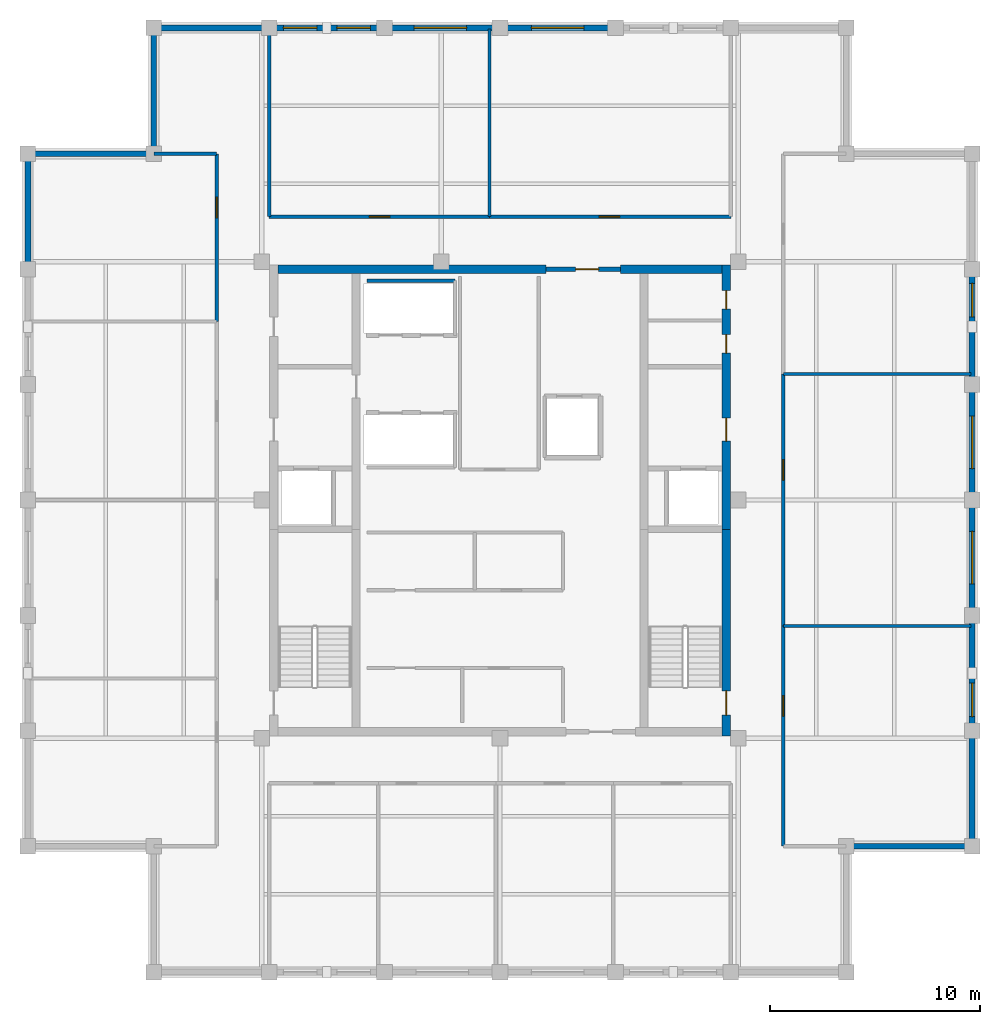
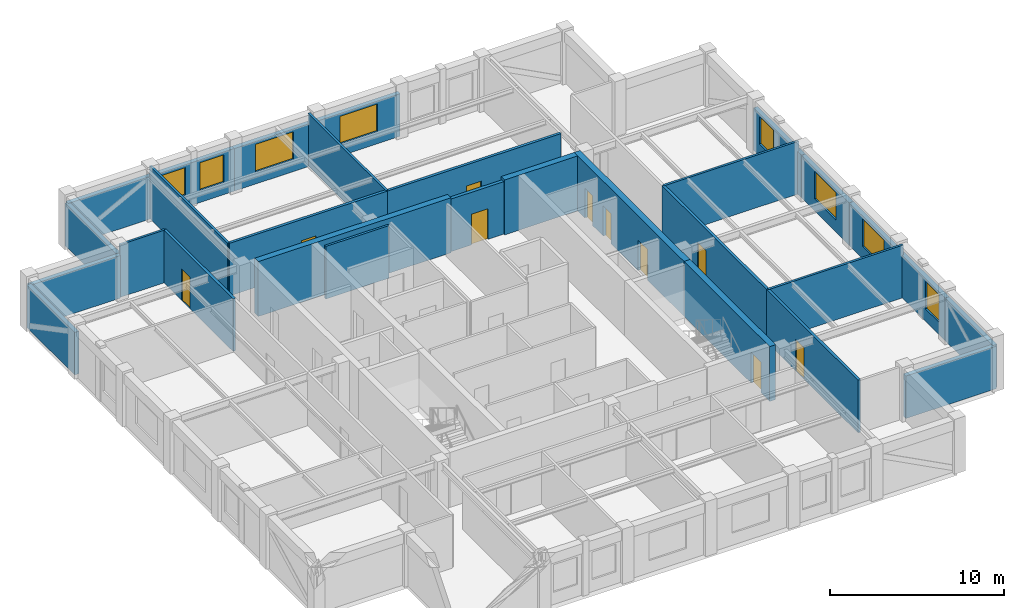
# One storey, part 4 of 6: 29 walls, 10 doors, 8 windows, 18 openings.
"""IFC4 building model written with IfcOpenShell, lengths in metres."""

from ifc_helpers import new_model, si_unit, direction, frame, frame_2d, origin, place, context, subcontext, project, spatial, rectangle, extrude, material, layer, layer_set, type_object, element, fill, save


model = new_model("IFC4")

# Units and contexts
model_context = context("Model", 3, precision=1e-05, world=origin(), true_north=direction((0.0, 1.0)))
body_context = subcontext(model_context, "Body", "Model", "MODEL_VIEW")
ifc_project = project(units=[si_unit("LENGTHUNIT", "METRE"), si_unit("AREAUNIT", "SQUARE_METRE"), si_unit("VOLUMEUNIT", "CUBIC_METRE"), si_unit("PLANEANGLEUNIT", "RADIAN"), si_unit("MASSUNIT", "GRAM", prefix="KILO")], contexts=[model_context])

# Site, building, storey
site_placement = place(None, origin())
site = spatial("IfcSite", under=ifc_project, at=site_placement, CompositionType="ELEMENT")
building_placement = place(site_placement, origin())
building = spatial("IfcBuilding", under=site, at=building_placement, Name="Nhamokura Convention Tower", CompositionType="ELEMENT")
storey_placement = place(building_placement, frame((0.0, 0.0, 266.0)))
storey = spatial("IfcBuildingStorey", under=building, at=storey_placement, Name="L65", CompositionType="ELEMENT", Elevation=266.0)

# Wall
ifc_material_1 = material(Name="Bronze-pigmented precast concrete C45/55", Category="concrete")
ifc_layer_1 = layer(ifc_material_1, 0.280029296875)
ifc_layer_set_1 = layer_set([ifc_layer_1], Name="BronzePrecastSpandrel_280")
wall_type_1 = type_object("IfcWallType", Name="BronzePrecastSpandrel_280", PredefinedType="USERDEFINED", material=ifc_layer_set_1)
wall_1_placement = place(storey_placement, frame((15.5, 54.5, 0.0), z_axis=(0.0, 0.0, 1.0), x_axis=(1.0, 0.0, 0.0)))
element("IfcWall", 1, at=wall_1_placement, inside=storey, type_object=wall_type_1, Name="L65 Braced-Bay Precast Wall NORTH 0", ObjectType="SPANDREL_WALL", PredefinedType="USERDEFINED", context=body_context, shape_type="SweptSolid", body=[
    extrude(rectangle(XDim=5.5, YDim=0.280029296875, at=frame_2d((2.75, 0.0))), origin(), (0.0, 0.0, 1.0), 2.985107421875),
])

# Wall, openings, windows
wall_2_placement = place(storey_placement, frame((21.0, 54.5, 0.0), z_axis=(0.0, 0.0, 1.0), x_axis=(1.0, 0.0, 0.0)))
wall_2 = element("IfcWall", 2, at=wall_2_placement, inside=storey, type_object=wall_type_1, Name="L65 Masonry-Frame Wall NORTH 1", ObjectType="SPANDREL_WALL", PredefinedType="USERDEFINED", context=body_context, shape_type="SweptSolid", body=[
    extrude(rectangle(XDim=5.5, YDim=0.280029296875, at=frame_2d((2.75, 0.0))), origin(), (0.0, 0.0, 1.0), 2.985107421875),
])
opening_1_placement = place(wall_2_placement, frame((0.675048828125, 0.0, 0.85009765625)))
opening_1 = element("IfcOpeningElement", 3, at=opening_1_placement, cuts=wall_2, Name="Opening W-11", PredefinedType="OPENING", context=body_context, shape_type="SweptSolid", body=[
    extrude(rectangle(XDim=1.60009765625, YDim=1.93505859375, at=frame_2d((0.800048828125, 0.967529296875))), frame((0.0, 0.14990234375, 0.0), z_axis=(0.0, -1.0, 0.0), x_axis=(1.0, 0.0, 0.0)), (0.0, 0.0, 1.0), 0.300048828125),
])
opening_2_placement = place(wall_2_placement, frame((3.22509765625, 0.0, 0.85009765625)))
opening_2 = element("IfcOpeningElement", 4, at=opening_2_placement, cuts=wall_2, Name="Opening W-11", PredefinedType="OPENING", context=body_context, shape_type="SweptSolid", body=[
    extrude(rectangle(XDim=1.60009765625, YDim=1.93505859375, at=frame_2d((0.800048828125, 0.967529296875))), frame((0.0, 0.14990234375, 0.0), z_axis=(0.0, -1.0, 0.0), x_axis=(1.0, 0.0, 0.0)), (0.0, 0.0, 1.0), 0.300048828125),
])
ifc_material_2 = material(Name="Solar-control bronze low-E double glass", Category="glass")
window_type_1 = type_object("IfcWindowType", Name="NotchCornerWindow_1600", PartitioningType="SINGLE_PANEL", PredefinedType="WINDOW", material=ifc_material_2)
window_1_placement = place(opening_1_placement, origin())
window_1 = element("IfcWindow", 5, at=window_1_placement, inside=storey, type_object=window_type_1, Name="L65 Facade Window NORTH 1-1", OverallHeight=1.93505859375, OverallWidth=1.60009765625, PartitioningType="SINGLE_PANEL", PredefinedType="WINDOW", context=body_context, shape_type="SweptSolid", body=[
    extrude(rectangle(XDim=1.60009765625, YDim=1.93505859375, at=frame_2d((0.800048828125, 0.967529296875))), frame((0.0, 0.030029296875, 0.0), z_axis=(0.0, -1.0, 0.0), x_axis=(1.0, 0.0, 0.0)), (0.0, 0.0, 1.0), 0.06005859375),
])
fill(opening_1, window_1)
window_2_placement = place(opening_2_placement, origin())
window_2 = element("IfcWindow", 6, at=window_2_placement, inside=storey, type_object=window_type_1, Name="L65 Facade Window NORTH 1-2", OverallHeight=1.93505859375, OverallWidth=1.60009765625, PartitioningType="SINGLE_PANEL", PredefinedType="WINDOW", context=body_context, shape_type="SweptSolid", body=[
    extrude(rectangle(XDim=1.60009765625, YDim=1.93505859375, at=frame_2d((0.800048828125, 0.967529296875))), frame((0.0, 0.030029296875, 0.0), z_axis=(0.0, -1.0, 0.0), x_axis=(1.0, 0.0, 0.0)), (0.0, 0.0, 1.0), 0.06005859375),
])
fill(opening_2, window_2)

# Wall, opening, window
wall_3_placement = place(storey_placement, frame((26.5, 54.5, 0.0), z_axis=(0.0, 0.0, 1.0), x_axis=(1.0, 0.0, 0.0)))
wall_3 = element("IfcWall", 7, at=wall_3_placement, inside=storey, type_object=wall_type_1, Name="L65 Masonry-Frame Wall NORTH 2", ObjectType="SPANDREL_WALL", PredefinedType="USERDEFINED", context=body_context, shape_type="SweptSolid", body=[
    extrude(rectangle(XDim=5.5, YDim=0.280029296875, at=frame_2d((2.75, 0.0))), origin(), (0.0, 0.0, 1.0), 2.985107421875),
])
opening_3_placement = place(wall_3_placement, frame((1.41259765625, 0.0, 0.85009765625)))
opening_3 = element("IfcOpeningElement", 8, at=opening_3_placement, cuts=wall_3, Name="Opening W-09", PredefinedType="OPENING", context=body_context, shape_type="SweptSolid", body=[
    extrude(rectangle(XDim=2.5, YDim=1.93505859375, at=frame_2d((1.25, 0.967529296875))), frame((0.0, 0.14990234375, 0.0), z_axis=(0.0, -1.0, 0.0), x_axis=(1.0, 0.0, 0.0)), (0.0, 0.0, 1.0), 0.300048828125),
])
ifc_material_3 = material(Name="Solar-control bronze low-E double glass", Category="glass")
window_type_2 = type_object("IfcWindowType", Name="SummitWindow_Z4_2500", PartitioningType="DOUBLE_PANEL_VERTICAL", PredefinedType="WINDOW", material=ifc_material_3)
window_3_placement = place(opening_3_placement, origin())
window_3 = element("IfcWindow", 9, at=window_3_placement, inside=storey, type_object=window_type_2, Name="L65 Facade Window NORTH 2", OverallHeight=1.93505859375, OverallWidth=2.5, PartitioningType="SINGLE_PANEL", PredefinedType="WINDOW", context=body_context, shape_type="SweptSolid", body=[
    extrude(rectangle(XDim=2.5, YDim=1.93505859375, at=frame_2d((1.25, 0.967529296875))), frame((0.0, 0.030029296875, 0.0), z_axis=(0.0, -1.0, 0.0), x_axis=(1.0, 0.0, 0.0)), (0.0, 0.0, 1.0), 0.06005859375),
])
fill(opening_3, window_3)

wall_4_placement = place(storey_placement, frame((32.0, 54.5, 0.0), z_axis=(0.0, 0.0, 1.0), x_axis=(1.0, 0.0, 0.0)))
wall_4 = element("IfcWall", 10, at=wall_4_placement, inside=storey, type_object=wall_type_1, Name="L65 Masonry-Frame Wall NORTH 3", ObjectType="SPANDREL_WALL", PredefinedType="USERDEFINED", context=body_context, shape_type="SweptSolid", body=[
    extrude(rectangle(XDim=5.5, YDim=0.280029296875, at=frame_2d((2.75, 0.0))), origin(), (0.0, 0.0, 1.0), 2.985107421875),
])
opening_4_placement = place(wall_4_placement, frame((1.5, 0.0, 0.85009765625)))
opening_4 = element("IfcOpeningElement", 11, at=opening_4_placement, cuts=wall_4, Name="Opening W-09", PredefinedType="OPENING", context=body_context, shape_type="SweptSolid", body=[
    extrude(rectangle(XDim=2.5, YDim=1.93505859375, at=frame_2d((1.25, 0.967529296875))), frame((0.0, 0.14990234375, 0.0), z_axis=(0.0, -1.0, 0.0), x_axis=(1.0, 0.0, 0.0)), (0.0, 0.0, 1.0), 0.300048828125),
])
window_4_placement = place(opening_4_placement, origin())
window_4 = element("IfcWindow", 12, at=window_4_placement, inside=storey, type_object=window_type_2, Name="L65 Facade Window NORTH 3", OverallHeight=1.93505859375, OverallWidth=2.5, PartitioningType="SINGLE_PANEL", PredefinedType="WINDOW", context=body_context, shape_type="SweptSolid", body=[
    extrude(rectangle(XDim=2.5, YDim=1.93505859375, at=frame_2d((1.25, 0.967529296875))), frame((0.0, 0.030029296875, 0.0), z_axis=(0.0, -1.0, 0.0), x_axis=(1.0, 0.0, 0.0)), (0.0, 0.0, 1.0), 0.06005859375),
])
fill(opening_4, window_4)

# Walls
for number, where, z_axis, x_axis, name in (
    (13, (9.5, 43.0, 0.0), (0.0, 0.0, 1.0), (0.0, 1.0, 0.0), "L65 Braced-Bay Precast Wall WEST 5"),
    (14, (54.5, 21.0, 0.0), (0.0, 0.0, 1.0), (0.0, -1.0, 0.0), "L65 Braced-Bay Precast Wall EAST 0"),
):
    element("IfcWall", number, at=place(storey_placement, frame(where, z_axis=z_axis, x_axis=x_axis)), inside=storey, type_object=wall_type_1, Name=name, ObjectType="SPANDREL_WALL", PredefinedType="USERDEFINED", context=body_context, shape_type="SweptSolid", body=[
        extrude(rectangle(XDim=5.5, YDim=0.280029296875, at=frame_2d((2.75, 0.0))), origin(), (0.0, 0.0, 1.0), 2.985107421875),
    ])

# Wall, opening, window
wall_5_placement = place(storey_placement, frame((54.5, 26.5, 0.0), z_axis=(0.0, 0.0, 1.0), x_axis=(0.0, -1.0, 0.0)))
wall_5 = element("IfcWall", 15, at=wall_5_placement, inside=storey, type_object=wall_type_1, Name="L65 Masonry-Frame Wall EAST 1", ObjectType="SPANDREL_WALL", PredefinedType="USERDEFINED", context=body_context, shape_type="SweptSolid", body=[
    extrude(rectangle(XDim=5.5, YDim=0.280029296875, at=frame_2d((2.75, 0.0))), origin(), (0.0, 0.0, 1.0), 2.985107421875),
])
opening_5_placement = place(wall_5_placement, frame((3.22509765625, 0.0, 0.85009765625)))
opening_5 = element("IfcOpeningElement", 16, at=opening_5_placement, cuts=wall_5, Name="Opening W-11", PredefinedType="OPENING", context=body_context, shape_type="SweptSolid", body=[
    extrude(rectangle(XDim=1.60009765625, YDim=1.93505859375, at=frame_2d((0.800048828125, 0.967529296875))), frame((0.0, 0.14990234375, 0.0), z_axis=(0.0, -1.0, 0.0), x_axis=(1.0, 0.0, 0.0)), (0.0, 0.0, 1.0), 0.300048828125),
])
window_5_placement = place(opening_5_placement, origin())
window_5 = element("IfcWindow", 17, at=window_5_placement, inside=storey, type_object=window_type_1, Name="L65 Facade Window EAST 1-2", OverallHeight=1.93505859375, OverallWidth=1.60009765625, PartitioningType="SINGLE_PANEL", PredefinedType="WINDOW", context=body_context, shape_type="SweptSolid", body=[
    extrude(rectangle(XDim=1.60009765625, YDim=1.93505859375, at=frame_2d((0.800048828125, 0.967529296875))), frame((0.0, 0.030029296875, 0.0), z_axis=(0.0, -1.0, 0.0), x_axis=(1.0, 0.0, 0.0)), (0.0, 0.0, 1.0), 0.06005859375),
])
fill(opening_5, window_5)

wall_6_placement = place(storey_placement, frame((54.5, 32.0, 0.0), z_axis=(0.0, 0.0, 1.0), x_axis=(0.0, -1.0, 0.0)))
wall_6 = element("IfcWall", 18, at=wall_6_placement, inside=storey, type_object=wall_type_1, Name="L65 Masonry-Frame Wall EAST 2", ObjectType="SPANDREL_WALL", PredefinedType="USERDEFINED", context=body_context, shape_type="SweptSolid", body=[
    extrude(rectangle(XDim=5.5, YDim=0.280029296875, at=frame_2d((2.75, 0.0))), origin(), (0.0, 0.0, 1.0), 2.985107421875),
])
opening_6_placement = place(wall_6_placement, frame((1.5, 0.0, 0.85009765625)))
opening_6 = element("IfcOpeningElement", 19, at=opening_6_placement, cuts=wall_6, Name="Opening W-09", PredefinedType="OPENING", context=body_context, shape_type="SweptSolid", body=[
    extrude(rectangle(XDim=2.5, YDim=1.93505859375, at=frame_2d((1.25, 0.967529296875))), frame((0.0, 0.14990234375, 0.0), z_axis=(0.0, -1.0, 0.0), x_axis=(1.0, 0.0, 0.0)), (0.0, 0.0, 1.0), 0.300048828125),
])
window_6_placement = place(opening_6_placement, origin())
window_6 = element("IfcWindow", 20, at=window_6_placement, inside=storey, type_object=window_type_2, Name="L65 Facade Window EAST 2", OverallHeight=1.93505859375, OverallWidth=2.5, PartitioningType="SINGLE_PANEL", PredefinedType="WINDOW", context=body_context, shape_type="SweptSolid", body=[
    extrude(rectangle(XDim=2.5, YDim=1.93505859375, at=frame_2d((1.25, 0.967529296875))), frame((0.0, 0.030029296875, 0.0), z_axis=(0.0, -1.0, 0.0), x_axis=(1.0, 0.0, 0.0)), (0.0, 0.0, 1.0), 0.06005859375),
])
fill(opening_6, window_6)

wall_7_placement = place(storey_placement, frame((54.5, 37.5, 0.0), z_axis=(0.0, 0.0, 1.0), x_axis=(0.0, -1.0, 0.0)))
wall_7 = element("IfcWall", 21, at=wall_7_placement, inside=storey, type_object=wall_type_1, Name="L65 Masonry-Frame Wall EAST 3", ObjectType="SPANDREL_WALL", PredefinedType="USERDEFINED", context=body_context, shape_type="SweptSolid", body=[
    extrude(rectangle(XDim=5.5, YDim=0.280029296875, at=frame_2d((2.75, 0.0))), origin(), (0.0, 0.0, 1.0), 2.985107421875),
])
opening_7_placement = place(wall_7_placement, frame((1.5, 0.0, 0.85009765625)))
opening_7 = element("IfcOpeningElement", 22, at=opening_7_placement, cuts=wall_7, Name="Opening W-09", PredefinedType="OPENING", context=body_context, shape_type="SweptSolid", body=[
    extrude(rectangle(XDim=2.5, YDim=1.93505859375, at=frame_2d((1.25, 0.967529296875))), frame((0.0, 0.14990234375, 0.0), z_axis=(0.0, -1.0, 0.0), x_axis=(1.0, 0.0, 0.0)), (0.0, 0.0, 1.0), 0.300048828125),
])
window_7_placement = place(opening_7_placement, origin())
window_7 = element("IfcWindow", 23, at=window_7_placement, inside=storey, type_object=window_type_2, Name="L65 Facade Window EAST 3", OverallHeight=1.93505859375, OverallWidth=2.5, PartitioningType="SINGLE_PANEL", PredefinedType="WINDOW", context=body_context, shape_type="SweptSolid", body=[
    extrude(rectangle(XDim=2.5, YDim=1.93505859375, at=frame_2d((1.25, 0.967529296875))), frame((0.0, 0.030029296875, 0.0), z_axis=(0.0, -1.0, 0.0), x_axis=(1.0, 0.0, 0.0)), (0.0, 0.0, 1.0), 0.06005859375),
])
fill(opening_7, window_7)

wall_8_placement = place(storey_placement, frame((54.5, 43.0, 0.0), z_axis=(0.0, 0.0, 1.0), x_axis=(0.0, -1.0, 0.0)))
wall_8 = element("IfcWall", 24, at=wall_8_placement, inside=storey, type_object=wall_type_1, Name="L65 Masonry-Frame Wall EAST 4", ObjectType="SPANDREL_WALL", PredefinedType="USERDEFINED", context=body_context, shape_type="SweptSolid", body=[
    extrude(rectangle(XDim=5.5, YDim=0.280029296875, at=frame_2d((2.75, 0.0))), origin(), (0.0, 0.0, 1.0), 2.985107421875),
])
opening_8_placement = place(wall_8_placement, frame((0.675048828125, 0.0, 0.85009765625)))
opening_8 = element("IfcOpeningElement", 25, at=opening_8_placement, cuts=wall_8, Name="Opening W-11", PredefinedType="OPENING", context=body_context, shape_type="SweptSolid", body=[
    extrude(rectangle(XDim=1.60009765625, YDim=1.93505859375, at=frame_2d((0.800048828125, 0.967529296875))), frame((0.0, 0.14990234375, 0.0), z_axis=(0.0, -1.0, 0.0), x_axis=(1.0, 0.0, 0.0)), (0.0, 0.0, 1.0), 0.300048828125),
])
window_8_placement = place(opening_8_placement, origin())
window_8 = element("IfcWindow", 26, at=window_8_placement, inside=storey, type_object=window_type_1, Name="L65 Facade Window EAST 4-1", OverallHeight=1.93505859375, OverallWidth=1.60009765625, PartitioningType="SINGLE_PANEL", PredefinedType="WINDOW", context=body_context, shape_type="SweptSolid", body=[
    extrude(rectangle(XDim=1.60009765625, YDim=1.93505859375, at=frame_2d((0.800048828125, 0.967529296875))), frame((0.0, 0.030029296875, 0.0), z_axis=(0.0, -1.0, 0.0), x_axis=(1.0, 0.0, 0.0)), (0.0, 0.0, 1.0), 0.06005859375),
])
fill(opening_8, window_8)

# Walls
for number, where, z_axis, x_axis, name in (
    (27, (54.5, 15.5, 0.0), (0.0, 0.0, 1.0), (-1.0, 0.0, 0.0), "L65 Notched Corner Wall SE2"),
    (28, (15.5, 48.5, 0.0), (0.0, 0.0, 1.0), (0.0, 1.0, 0.0), "L65 Notched Corner Wall NW1"),
    (29, (9.5, 48.5, 0.0), (0.0, 0.0, 1.0), (1.0, 0.0, 0.0), "L65 Notched Corner Wall NW2"),
):
    element("IfcWall", number, at=place(storey_placement, frame(where, z_axis=z_axis, x_axis=x_axis)), inside=storey, type_object=wall_type_1, Name=name, ObjectType="SPANDREL_WALL", PredefinedType="USERDEFINED", context=body_context, shape_type="SweptSolid", body=[
        extrude(rectangle(XDim=6.0, YDim=0.280029296875, at=frame_2d((3.0, 0.0))), origin(), (0.0, 0.0, 1.0), 2.985107421875),
    ])

# Wall, opening, door
ifc_material_4 = material(Name="Concrete C50/60", Category="concrete")
ifc_layer_2 = layer(ifc_material_4, 0.39990234375)
ifc_layer_set_2 = layer_set([ifc_layer_2], Name="CoreShearWall_400")
wall_type_2 = type_object("IfcWallType", Name="CoreShearWall_400", PredefinedType="SHEAR", material=ifc_layer_set_2)
wall_9_placement = place(storey_placement, frame((42.7900390625, 20.75, 0.0), z_axis=(0.0, 0.0, 1.0), x_axis=(0.0, 1.0, 0.0)))
wall_9 = element("IfcWall", 30, at=wall_9_placement, inside=storey, type_object=wall_type_2, Name="L65 Core Shear Wall CW-ES", PredefinedType="SHEAR", context=body_context, shape_type="SweptSolid", body=[
    extrude(rectangle(XDim=9.85009765625, YDim=0.39990234375, at=frame_2d((4.925048828125, 0.0))), origin(), (0.0, 0.0, 1.0), 3.85009765625),
])
opening_9_placement = place(wall_9_placement, frame((1.0, 0.0, 0.0)))
opening_9 = element("IfcOpeningElement", 31, at=opening_9_placement, cuts=wall_9, Name="Opening D-04", PredefinedType="OPENING", context=body_context, shape_type="SweptSolid", body=[
    extrude(rectangle(XDim=1.14990234375, YDim=2.14990234375, at=frame_2d((0.574951171875, 1.074951171875))), frame((0.0, 0.2099609375, 0.0), z_axis=(0.0, -1.0, 0.0), x_axis=(1.0, 0.0, 0.0)), (0.0, 0.0, 1.0), 0.419921875),
])
ifc_material_5 = material(Name="Fire-rated steel door", Category="steel")
door_type_1 = type_object("IfcDoorType", Name="StairSmokeDoor_1150", OperationType="NOTDEFINED", PredefinedType="DOOR", material=ifc_material_5)
door_1_placement = place(opening_9_placement, origin())
door_1 = element("IfcDoor", 32, at=door_1_placement, inside=storey, type_object=door_type_1, Name="L65 Core Door INT-L65-D-ST02", OperationType="SINGLE_SWING_RIGHT", OverallHeight=2.14990234375, OverallWidth=1.14990234375, PredefinedType="DOOR", context=body_context, shape_type="SweptSolid", body=[
    extrude(rectangle(XDim=1.14990234375, YDim=2.14990234375, at=frame_2d((0.574951171875, 1.074951171875))), frame((0.0, 0.02490234375, 0.0), z_axis=(0.0, -1.0, 0.0), x_axis=(1.0, 0.0, 0.0)), (0.0, 0.0, 1.0), 0.050048828125),
])
fill(opening_9, door_1)

# Wall, openings, doors
wall_10_placement = place(storey_placement, frame((42.7900390625, 30.60009765625, 0.0), z_axis=(0.0, 0.0, 1.0), x_axis=(0.0, 1.0, 0.0)))
wall_10 = element("IfcWall", 33, at=wall_10_placement, inside=storey, type_object=wall_type_2, Name="L65 Core Shear Wall CW-EN", PredefinedType="SHEAR", context=body_context, shape_type="SweptSolid", body=[
    extrude(rectangle(XDim=12.599853515625, YDim=0.39990234375, at=frame_2d((6.2998046875, 0.0))), origin(), (0.0, 0.0, 1.0), 3.85009765625),
])
opening_10_placement = place(wall_10_placement, frame((4.199951171875, 0.0, 0.0)))
opening_10 = element("IfcOpeningElement", 34, at=opening_10_placement, cuts=wall_10, Name="Opening D-05", PredefinedType="OPENING", context=body_context, shape_type="SweptSolid", body=[
    extrude(rectangle(XDim=1.10009765625, YDim=2.14990234375, at=frame_2d((0.550048828125, 1.074951171875))), frame((0.0, 0.2099609375, 0.0), z_axis=(0.0, -1.0, 0.0), x_axis=(1.0, 0.0, 0.0)), (0.0, 0.0, 1.0), 0.419921875),
])
opening_11_placement = place(wall_10_placement, frame((8.39990234375, 0.0, 0.0)))
opening_11 = element("IfcOpeningElement", 35, at=opening_11_placement, cuts=wall_10, Name="Opening D-11", PredefinedType="OPENING", context=body_context, shape_type="SweptSolid", body=[
    extrude(rectangle(XDim=0.8798828125, YDim=2.10009765625, at=frame_2d((0.43994140625, 1.050048828125))), frame((0.0, 0.2099609375, 0.0), z_axis=(0.0, -1.0, 0.0), x_axis=(1.0, 0.0, 0.0)), (0.0, 0.0, 1.0), 0.419921875),
])
opening_12_placement = place(wall_10_placement, frame((10.5, 0.0, 0.0)))
opening_12 = element("IfcOpeningElement", 36, at=opening_12_placement, cuts=wall_10, Name="Opening D-11", PredefinedType="OPENING", context=body_context, shape_type="SweptSolid", body=[
    extrude(rectangle(XDim=0.8798828125, YDim=2.10009765625, at=frame_2d((0.43994140625, 1.050048828125))), frame((0.0, 0.2099609375, 0.0), z_axis=(0.0, -1.0, 0.0), x_axis=(1.0, 0.0, 0.0)), (0.0, 0.0, 1.0), 0.419921875),
])
ifc_material_6 = material(Name="Solid oak hardwood", Category="wood")
door_type_2 = type_object("IfcDoorType", Name="BathroomDoor_880", OperationType="NOTDEFINED", PredefinedType="DOOR", material=ifc_material_6)
door_2_placement = place(opening_11_placement, origin())
door_2 = element("IfcDoor", 37, at=door_2_placement, inside=storey, type_object=door_type_2, Name="L65 Core Door INT-L65-D-MWC", OperationType="SINGLE_SWING_RIGHT", OverallHeight=2.10009765625, OverallWidth=0.8798828125, PredefinedType="DOOR", context=body_context, shape_type="SweptSolid", body=[
    extrude(rectangle(XDim=0.8798828125, YDim=2.10009765625, at=frame_2d((0.43994140625, 1.050048828125))), frame((0.0, 0.02490234375, 0.0), z_axis=(0.0, -1.0, 0.0), x_axis=(1.0, 0.0, 0.0)), (0.0, 0.0, 1.0), 0.050048828125),
])
fill(opening_11, door_2)
door_3_placement = place(opening_12_placement, origin())
door_3 = element("IfcDoor", 38, at=door_3_placement, inside=storey, type_object=door_type_2, Name="L65 Core Door INT-L65-D-FWC", OperationType="SINGLE_SWING_LEFT", OverallHeight=2.10009765625, OverallWidth=0.8798828125, PredefinedType="DOOR", context=body_context, shape_type="SweptSolid", body=[
    extrude(rectangle(XDim=0.8798828125, YDim=2.10009765625, at=frame_2d((0.43994140625, 1.050048828125))), frame((0.0, 0.02490234375, 0.0), z_axis=(0.0, -1.0, 0.0), x_axis=(1.0, 0.0, 0.0)), (0.0, 0.0, 1.0), 0.050048828125),
])
fill(opening_12, door_3)
ifc_material_7 = material(Name="Fire-rated steel door", Category="steel")
door_type_3 = type_object("IfcDoorType", Name="FireLobbyDoor_1100", OperationType="NOTDEFINED", PredefinedType="DOOR", material=ifc_material_7)
door_4_placement = place(opening_10_placement, origin())
door_4 = element("IfcDoor", 39, at=door_4_placement, inside=storey, type_object=door_type_3, Name="L65 Core Door INT-L65-D-FFLE", OperationType="SINGLE_SWING_LEFT", OverallHeight=2.14990234375, OverallWidth=1.10009765625, PredefinedType="DOOR", context=body_context, shape_type="SweptSolid", body=[
    extrude(rectangle(XDim=1.10009765625, YDim=2.14990234375, at=frame_2d((0.550048828125, 1.074951171875))), frame((0.0, 0.02490234375, 0.0), z_axis=(0.0, -1.0, 0.0), x_axis=(1.0, 0.0, 0.0)), (0.0, 0.0, 1.0), 0.050048828125),
])
fill(opening_10, door_4)

# Walls
wall_11_placement = place(storey_placement, frame((21.409912109375, 43.0, 0.0), z_axis=(0.0, 0.0, 1.0), x_axis=(1.0, 0.0, 0.0)))
element("IfcWall", 40, at=wall_11_placement, inside=storey, type_object=wall_type_2, Name="L65 Core Shear Wall CW-N1", PredefinedType="SHEAR", context=body_context, shape_type="SweptSolid", body=[
    extrude(rectangle(XDim=12.7900390625, YDim=0.39990234375, at=frame_2d((6.39501953125, 0.0))), origin(), (0.0, 0.0, 1.0), 3.85009765625),
])
wall_12_placement = place(storey_placement, frame((37.75, 43.0, 0.0), z_axis=(0.0, 0.0, 1.0), x_axis=(1.0, 0.0, 0.0)))
element("IfcWall", 41, at=wall_12_placement, inside=storey, type_object=wall_type_2, Name="L65 Core Shear Wall CW-N2", PredefinedType="SHEAR", context=body_context, shape_type="SweptSolid", body=[
    extrude(rectangle(XDim=4.840087890625, YDim=0.39990234375, at=frame_2d((2.419921875, 0.0))), origin(), (0.0, 0.0, 1.0), 3.85009765625),
])

# Wall, opening, door
ifc_material_8 = material(Name="Fire-rated gypsum and masonry partition", Category="masonry")
ifc_layer_3 = layer(ifc_material_8, 0.179931640625)
ifc_layer_set_3 = layer_set([ifc_layer_3], Name="CorridorRatedWall_180")
wall_type_3 = type_object("IfcWallType", Name="CorridorRatedWall_180", PredefinedType="STANDARD", material=ifc_layer_set_3)
wall_13_placement = place(storey_placement, frame((21.0, 45.5, 0.0), z_axis=(0.0, 0.0, 1.0), x_axis=(1.0, 0.0, 0.0)))
wall_13 = element("IfcWall", 42, at=wall_13_placement, inside=storey, type_object=wall_type_3, Name="L65 Wall INT-L65-CW-N00", PredefinedType="STANDARD", context=body_context, shape_type="SweptSolid", body=[
    extrude(rectangle(XDim=10.5, YDim=0.179931640625, at=frame_2d((5.25, 0.0))), origin(), (0.0, 0.0, 1.0), 3.68505859375),
])
opening_13_placement = place(wall_13_placement, frame((4.77490234375, 0.0, 0.0)))
opening_13 = element("IfcOpeningElement", 43, at=opening_13_placement, cuts=wall_13, Name="Opening D-08", PredefinedType="OPENING", context=body_context, shape_type="SweptSolid", body=[
    extrude(rectangle(XDim=0.97998046875, YDim=2.199951171875, at=frame_2d((0.489990234375, 1.10009765625))), frame((0.0, 0.099853515625, 0.0), z_axis=(0.0, -1.0, 0.0), x_axis=(1.0, 0.0, 0.0)), (0.0, 0.0, 1.0), 0.199951171875),
])
ifc_material_9 = material(Name="Solid oak hardwood", Category="wood")
door_type_4 = type_object("IfcDoorType", Name="OfficeEntryDoor_980", OperationType="NOTDEFINED", PredefinedType="DOOR", material=ifc_material_9)
door_5_placement = place(opening_13_placement, origin())
door_5 = element("IfcDoor", 44, at=door_5_placement, inside=storey, type_object=door_type_4, Name="L65 Meeting Room N01 Door", OperationType="SINGLE_SWING_LEFT", OverallHeight=2.199951171875, OverallWidth=0.97998046875, PredefinedType="DOOR", context=body_context, shape_type="SweptSolid", body=[
    extrude(rectangle(XDim=0.97998046875, YDim=2.199951171875, at=frame_2d((0.489990234375, 1.10009765625))), frame((0.0, 0.02490234375, 0.0), z_axis=(0.0, -1.0, 0.0), x_axis=(1.0, 0.0, 0.0)), (0.0, 0.0, 1.0), 0.050048828125),
])
fill(opening_13, door_5)

wall_14_placement = place(storey_placement, frame((31.5, 45.5, 0.0), z_axis=(0.0, 0.0, 1.0), x_axis=(1.0, 0.0, 0.0)))
wall_14 = element("IfcWall", 45, at=wall_14_placement, inside=storey, type_object=wall_type_3, Name="L65 Wall INT-L65-CW-N01", PredefinedType="STANDARD", context=body_context, shape_type="SweptSolid", body=[
    extrude(rectangle(XDim=11.5, YDim=0.179931640625, at=frame_2d((5.75, 0.0))), origin(), (0.0, 0.0, 1.0), 3.68505859375),
])
opening_14_placement = place(wall_14_placement, frame((5.22509765625, 0.0, 0.0)))
opening_14 = element("IfcOpeningElement", 46, at=opening_14_placement, cuts=wall_14, Name="Opening D-08", PredefinedType="OPENING", context=body_context, shape_type="SweptSolid", body=[
    extrude(rectangle(XDim=0.97998046875, YDim=2.199951171875, at=frame_2d((0.489990234375, 1.10009765625))), frame((0.0, 0.099853515625, 0.0), z_axis=(0.0, -1.0, 0.0), x_axis=(1.0, 0.0, 0.0)), (0.0, 0.0, 1.0), 0.199951171875),
])
door_6_placement = place(opening_14_placement, origin())
door_6 = element("IfcDoor", 47, at=door_6_placement, inside=storey, type_object=door_type_4, Name="L65 Reference Library N02 Door", OperationType="SINGLE_SWING_RIGHT", OverallHeight=2.199951171875, OverallWidth=0.97998046875, PredefinedType="DOOR", context=body_context, shape_type="SweptSolid", body=[
    extrude(rectangle(XDim=0.97998046875, YDim=2.199951171875, at=frame_2d((0.489990234375, 1.10009765625))), frame((0.0, 0.02490234375, 0.0), z_axis=(0.0, -1.0, 0.0), x_axis=(1.0, 0.0, 0.0)), (0.0, 0.0, 1.0), 0.050048828125),
])
fill(opening_14, door_6)

wall_15_placement = place(storey_placement, frame((18.5, 40.5, 0.0), z_axis=(0.0, 0.0, 1.0), x_axis=(0.0, 1.0, 0.0)))
wall_15 = element("IfcWall", 48, at=wall_15_placement, inside=storey, type_object=wall_type_3, Name="L65 Wall INT-L65-CW-W03", PredefinedType="STANDARD", context=body_context, shape_type="SweptSolid", body=[
    extrude(rectangle(XDim=8.0, YDim=0.179931640625, at=frame_2d((4.0, 0.0))), origin(), (0.0, 0.0, 1.0), 3.68505859375),
])
opening_15_placement = place(wall_15_placement, frame((4.949951171875, 0.0, 0.0)))
opening_15 = element("IfcOpeningElement", 49, at=opening_15_placement, cuts=wall_15, Name="Opening D-08", PredefinedType="OPENING", context=body_context, shape_type="SweptSolid", body=[
    extrude(rectangle(XDim=0.97998046875, YDim=2.199951171875, at=frame_2d((0.489990234375, 1.10009765625))), frame((0.0, 0.099853515625, 0.0), z_axis=(0.0, -1.0, 0.0), x_axis=(1.0, 0.0, 0.0)), (0.0, 0.0, 1.0), 0.199951171875),
])
door_7_placement = place(opening_15_placement, origin())
door_7 = element("IfcDoor", 50, at=door_7_placement, inside=storey, type_object=door_type_4, Name="L65 Private Office W04 Door", OperationType="SINGLE_SWING_RIGHT", OverallHeight=2.199951171875, OverallWidth=0.97998046875, PredefinedType="DOOR", context=body_context, shape_type="SweptSolid", body=[
    extrude(rectangle(XDim=0.97998046875, YDim=2.199951171875, at=frame_2d((0.489990234375, 1.10009765625))), frame((0.0, 0.02490234375, 0.0), z_axis=(0.0, -1.0, 0.0), x_axis=(1.0, 0.0, 0.0)), (0.0, 0.0, 1.0), 0.050048828125),
])
fill(opening_15, door_7)

wall_16_placement = place(storey_placement, frame((45.5, 15.5, 0.0), z_axis=(0.0, 0.0, 1.0), x_axis=(0.0, 1.0, 0.0)))
wall_16 = element("IfcWall", 51, at=wall_16_placement, inside=storey, type_object=wall_type_3, Name="L65 Wall INT-L65-CW-E00", PredefinedType="STANDARD", context=body_context, shape_type="SweptSolid", body=[
    extrude(rectangle(XDim=10.5, YDim=0.179931640625, at=frame_2d((5.25, 0.0))), origin(), (0.0, 0.0, 1.0), 3.68505859375),
])
opening_16_placement = place(wall_16_placement, frame((6.199951171875, 0.0, 0.0)))
opening_16 = element("IfcOpeningElement", 52, at=opening_16_placement, cuts=wall_16, Name="Opening D-08", PredefinedType="OPENING", context=body_context, shape_type="SweptSolid", body=[
    extrude(rectangle(XDim=0.97998046875, YDim=2.199951171875, at=frame_2d((0.489990234375, 1.10009765625))), frame((0.0, 0.099853515625, 0.0), z_axis=(0.0, -1.0, 0.0), x_axis=(1.0, 0.0, 0.0)), (0.0, 0.0, 1.0), 0.199951171875),
])
door_8_placement = place(opening_16_placement, origin())
door_8 = element("IfcDoor", 53, at=door_8_placement, inside=storey, type_object=door_type_4, Name="L65 Reception Lounge E01 Door", OperationType="SINGLE_SWING_LEFT", OverallHeight=2.199951171875, OverallWidth=0.97998046875, PredefinedType="DOOR", context=body_context, shape_type="SweptSolid", body=[
    extrude(rectangle(XDim=0.97998046875, YDim=2.199951171875, at=frame_2d((0.489990234375, 1.10009765625))), frame((0.0, 0.02490234375, 0.0), z_axis=(0.0, -1.0, 0.0), x_axis=(1.0, 0.0, 0.0)), (0.0, 0.0, 1.0), 0.050048828125),
])
fill(opening_16, door_8)

wall_17_placement = place(storey_placement, frame((45.5, 26.0, 0.0), z_axis=(0.0, 0.0, 1.0), x_axis=(0.0, 1.0, 0.0)))
wall_17 = element("IfcWall", 54, at=wall_17_placement, inside=storey, type_object=wall_type_3, Name="L65 Wall INT-L65-CW-E01", PredefinedType="STANDARD", context=body_context, shape_type="SweptSolid", body=[
    extrude(rectangle(XDim=12.0, YDim=0.179931640625, at=frame_2d((6.0, 0.0))), origin(), (0.0, 0.0, 1.0), 3.68505859375),
])
opening_17_placement = place(wall_17_placement, frame((6.949951171875, 0.0, 0.0)))
opening_17 = element("IfcOpeningElement", 55, at=opening_17_placement, cuts=wall_17, Name="Opening D-08", PredefinedType="OPENING", context=body_context, shape_type="SweptSolid", body=[
    extrude(rectangle(XDim=0.97998046875, YDim=2.199951171875, at=frame_2d((0.489990234375, 1.10009765625))), frame((0.0, 0.099853515625, 0.0), z_axis=(0.0, -1.0, 0.0), x_axis=(1.0, 0.0, 0.0)), (0.0, 0.0, 1.0), 0.199951171875),
])
door_9_placement = place(opening_17_placement, origin())
door_9 = element("IfcDoor", 56, at=door_9_placement, inside=storey, type_object=door_type_4, Name="L65 Private Office E02 Door", OperationType="SINGLE_SWING_RIGHT", OverallHeight=2.199951171875, OverallWidth=0.97998046875, PredefinedType="DOOR", context=body_context, shape_type="SweptSolid", body=[
    extrude(rectangle(XDim=0.97998046875, YDim=2.199951171875, at=frame_2d((0.489990234375, 1.10009765625))), frame((0.0, 0.02490234375, 0.0), z_axis=(0.0, -1.0, 0.0), x_axis=(1.0, 0.0, 0.0)), (0.0, 0.0, 1.0), 0.050048828125),
])
fill(opening_17, door_9)

ifc_material_10 = material(Name="Autoclaved concrete blockwork", Category="masonry")
ifc_layer_4 = layer(ifc_material_10, 0.219970703125)
ifc_layer_set_4 = layer_set([ifc_layer_4], Name="FireLobbyWall_220")
wall_type_4 = type_object("IfcWallType", Name="FireLobbyWall_220", PredefinedType="STANDARD", material=ifc_layer_set_4)
wall_18_placement = place(storey_placement, frame((34.199951171875, 43.0, 0.0), z_axis=(0.0, 0.0, 1.0), x_axis=(1.0, 0.0, 0.0)))
wall_18 = element("IfcWall", 57, at=wall_18_placement, inside=storey, type_object=wall_type_4, Name="L65 Wall INT-L65-CPORT-N", PredefinedType="STANDARD", context=body_context, shape_type="SweptSolid", body=[
    extrude(rectangle(XDim=3.550048828125, YDim=0.219970703125, at=frame_2d((1.77490234375, 0.0))), origin(), (0.0, 0.0, 1.0), 3.68505859375),
])
opening_18_placement = place(wall_18_placement, frame((1.39990234375, 0.0, 0.0)))
opening_18 = element("IfcOpeningElement", 58, at=opening_18_placement, cuts=wall_18, Name="Opening D-05", PredefinedType="OPENING", context=body_context, shape_type="SweptSolid", body=[
    extrude(rectangle(XDim=1.10009765625, YDim=2.14990234375, at=frame_2d((0.550048828125, 1.074951171875))), frame((0.0, 0.119873046875, 0.0), z_axis=(0.0, -1.0, 0.0), x_axis=(1.0, 0.0, 0.0)), (0.0, 0.0, 1.0), 0.239990234375),
])
door_10_placement = place(opening_18_placement, origin())
door_10 = element("IfcDoor", 59, at=door_10_placement, inside=storey, type_object=door_type_3, Name="L65 North Core Lobby Portal Door", OperationType="SINGLE_SWING_RIGHT", OverallHeight=2.14990234375, OverallWidth=1.10009765625, PredefinedType="DOOR", context=body_context, shape_type="SweptSolid", body=[
    extrude(rectangle(XDim=1.10009765625, YDim=2.14990234375, at=frame_2d((0.550048828125, 1.074951171875))), frame((0.0, 0.02490234375, 0.0), z_axis=(0.0, -1.0, 0.0), x_axis=(1.0, 0.0, 0.0)), (0.0, 0.0, 1.0), 0.050048828125),
])
fill(opening_18, door_10)

# Walls
ifc_material_11 = material(Name="Acoustic gypsum stud partition", Category="masonry")
ifc_layer_5 = layer(ifc_material_11, 0.14990234375)
ifc_layer_set_5 = layer_set([ifc_layer_5], Name="InteriorPartition_150")
wall_type_5 = type_object("IfcWallType", Name="InteriorPartition_150", PredefinedType="STANDARD", material=ifc_layer_set_5)
wall_19_placement = place(storey_placement, frame((25.64990234375, 42.449951171875, 0.0), z_axis=(0.0, 0.0, 1.0), x_axis=(1.0, 0.0, 0.0)))
element("IfcWall", 60, at=wall_19_placement, inside=storey, type_object=wall_type_5, Name="L65 Wall INT-L65-B3B-N", PredefinedType="STANDARD", context=body_context, shape_type="SweptSolid", body=[
    extrude(rectangle(XDim=4.2001953125, YDim=0.14990234375, at=frame_2d((2.10009765625, 0.0))), origin(), (0.0, 0.0, 1.0), 3.68505859375),
])
for number, where, z_axis, x_axis, name in (
    (61, (21.0, 45.5, 0.0), (0.0, 0.0, 1.0), (0.0, 1.0, 0.0), "L65 Wall INT-L65-RWL-N"),
    (62, (31.5, 45.5, 0.0), (0.0, 0.0, 1.0), (0.0, 1.0, 0.0), "L65 Wall INT-L65-RW-N01"),
    (63, (45.5, 26.0, 0.0), (0.0, 0.0, 1.0), (1.0, 0.0, 0.0), "L65 Wall INT-L65-RW-E01"),
    (64, (45.5, 38.0, 0.0), (0.0, 0.0, 1.0), (1.0, 0.0, 0.0), "L65 Wall INT-L65-RW-E02"),
):
    element("IfcWall", number, at=place(storey_placement, frame(where, z_axis=z_axis, x_axis=x_axis)), inside=storey, type_object=wall_type_5, Name=name, PredefinedType="STANDARD", context=body_context, shape_type="SweptSolid", body=[
        extrude(rectangle(XDim=8.93994140625, YDim=0.14990234375, at=frame_2d((4.469970703125, 0.0))), origin(), (0.0, 0.0, 1.0), 3.68505859375),
    ])
wall_20_placement = place(storey_placement, frame((15.5, 48.5, 0.0), z_axis=(0.0, 0.0, 1.0), x_axis=(1.0, 0.0, 0.0)))
element("IfcWall", 65, at=wall_20_placement, inside=storey, type_object=wall_type_5, Name="L65 Wall INT-L65-VSTP-WN", PredefinedType="STANDARD", context=body_context, shape_type="SweptSolid", body=[
    extrude(rectangle(XDim=3.0, YDim=0.14990234375, at=frame_2d((1.5, 0.0))), origin(), (0.0, 0.0, 1.0), 3.68505859375),
])

save(model, "model.ifc")
